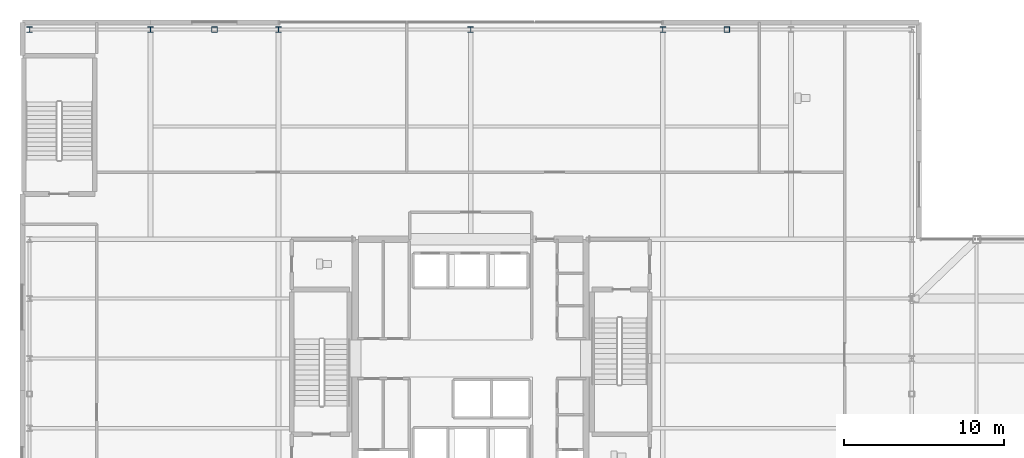
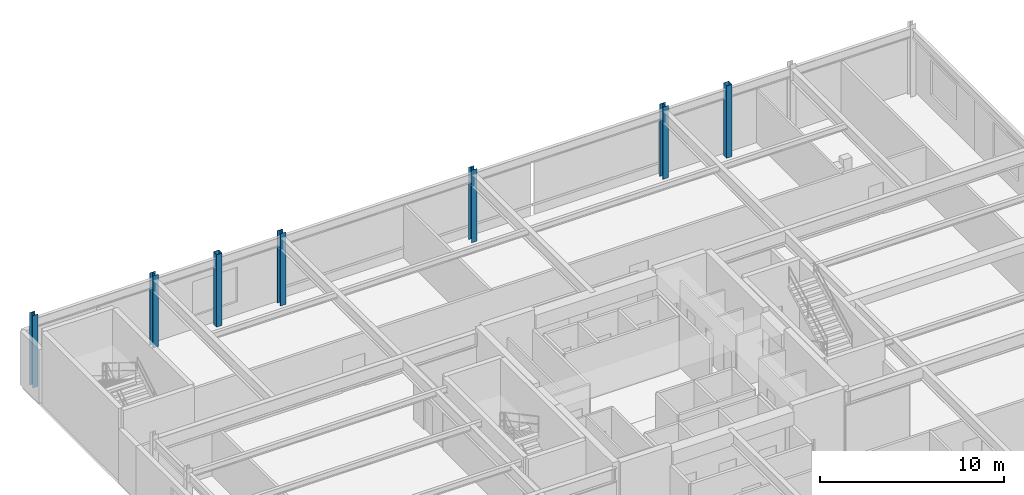
# One storey, part 3 of 26: 7 columns.
"""IFC4 building model written with IfcOpenShell, lengths in metres."""

from ifc_helpers import new_model, si_unit, direction, frame, origin, origin_2d, place, context, subcontext, project, spatial, hollow_rectangle, i_section, extrude, material, material_profile, profile_set, type_object, element, save


model = new_model("IFC4")

# Units and contexts
model_context = context("Model", 3, precision=1e-05, world=origin(), true_north=direction((0.0, 1.0)))
body_context = subcontext(model_context, "Body", "Model", "MODEL_VIEW")
ifc_project = project(units=[si_unit("LENGTHUNIT", "METRE"), si_unit("AREAUNIT", "SQUARE_METRE"), si_unit("VOLUMEUNIT", "CUBIC_METRE"), si_unit("PLANEANGLEUNIT", "RADIAN"), si_unit("MASSUNIT", "GRAM", prefix="KILO")], contexts=[model_context])

# Site, building, storey
site_placement = place(None, origin())
site = spatial("IfcSite", under=ifc_project, at=site_placement, CompositionType="ELEMENT")
building_placement = place(site_placement, origin())
building = spatial("IfcBuilding", under=site, at=building_placement, Name="Veldorina Hangang Commons", CompositionType="ELEMENT")
storey_placement = place(building_placement, frame((0.0, 0.0, 10.0)))
storey = spatial("IfcBuildingStorey", under=building, at=storey_placement, Name="L02", CompositionType="ELEMENT", Elevation=10.0)

# Columns
ifc_material_1 = material(Name="Steel SM420-TMC", Category="steel")
ifc_material_profile_1 = material_profile(ifc_material_1, i_section(OverallWidth=0.35009765625, OverallDepth=0.35009765625, WebThickness=0.011962890625, FlangeThickness=0.01904296875, FilletRadius=0.01611328125, at=origin_2d()), Name="H-350x350x12x19")
ifc_profile_set_1 = profile_set([ifc_material_profile_1], Name="Steel SM420-TMC")
column_type_1 = type_object("IfcColumnType", Name="COL-H350", PredefinedType="COLUMN", material=ifc_profile_set_1)
for number, where, z_axis, x_axis, name in (
    (1, (4.449951171875, 44.550048828125, 0.0), (0.0, 0.0, 1.0), (1.0, 0.0, 0.0), "L02 structural column N1"),
    (2, (12.0, 44.550048828125, 0.0), (0.0, 0.0, 1.0), (1.0, 0.0, 0.0), "L02 structural column N2"),
    (3, (20.0, 44.550048828125, 0.0), (0.0, 0.0, 1.0), (1.0, 0.0, 0.0), "L02 structural column N3"),
    (4, (32.0, 44.550048828125, 0.0), (0.0, 0.0, 1.0), (1.0, 0.0, 0.0), "L02 structural column N4"),
    (5, (44.0, 44.550048828125, 0.0), (0.0, 0.0, 1.0), (1.0, 0.0, 0.0), "L02 structural column N5"),
):
    element("IfcColumn", number, at=place(storey_placement, frame(where, z_axis=z_axis, x_axis=x_axis)), inside=storey, type_object=column_type_1, Name=name, PredefinedType="COLUMN", context=body_context, shape_type="SweptSolid", body=[
        extrude(i_section(OverallWidth=0.35009765625, OverallDepth=0.35009765625, WebThickness=0.011962890625, FlangeThickness=0.01904296875, FilletRadius=0.01611328125, at=origin_2d()), origin(), (0.0, 0.0, 1.0), 4.800048828125),
    ])
ifc_material_2 = material(Name="Steel SM355-TMC", Category="steel")
ifc_material_profile_2 = material_profile(ifc_material_2, hollow_rectangle(XDim=0.35009765625, YDim=0.35009765625, WallThickness=0.01611328125, at=origin_2d()), Name="SHS-350x350x16")
ifc_profile_set_2 = profile_set([ifc_material_profile_2], Name="Steel SM355-TMC")
column_type_2 = type_object("IfcColumnType", Name="COL-PIL-350", PredefinedType="PILASTER", material=ifc_profile_set_2)
for number, where, z_axis, x_axis, name in (
    (6, (16.0, 44.550048828125, 0.0), (0.0, 0.0, 1.0), (1.0, 0.0, 0.0), "L02 rationalist colonnade pilaster 1"),
    (7, (48.0, 44.550048828125, 0.0), (0.0, 0.0, 1.0), (1.0, 0.0, 0.0), "L02 rationalist colonnade pilaster 2"),
):
    element("IfcColumn", number, at=place(storey_placement, frame(where, z_axis=z_axis, x_axis=x_axis)), inside=storey, type_object=column_type_2, Name=name, PredefinedType="PILASTER", context=body_context, shape_type="SweptSolid", body=[
        extrude(hollow_rectangle(XDim=0.35009765625, YDim=0.35009765625, WallThickness=0.01611328125, at=origin_2d()), origin(), (0.0, 0.0, 1.0), 4.800048828125),
    ])

save(model, "model.ifc")
